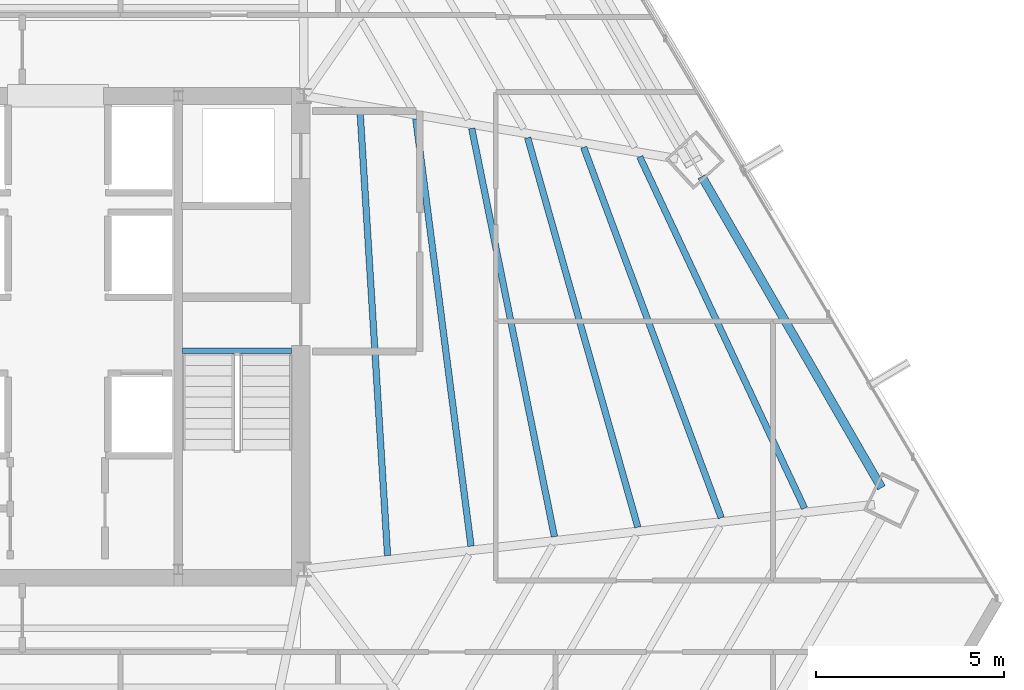
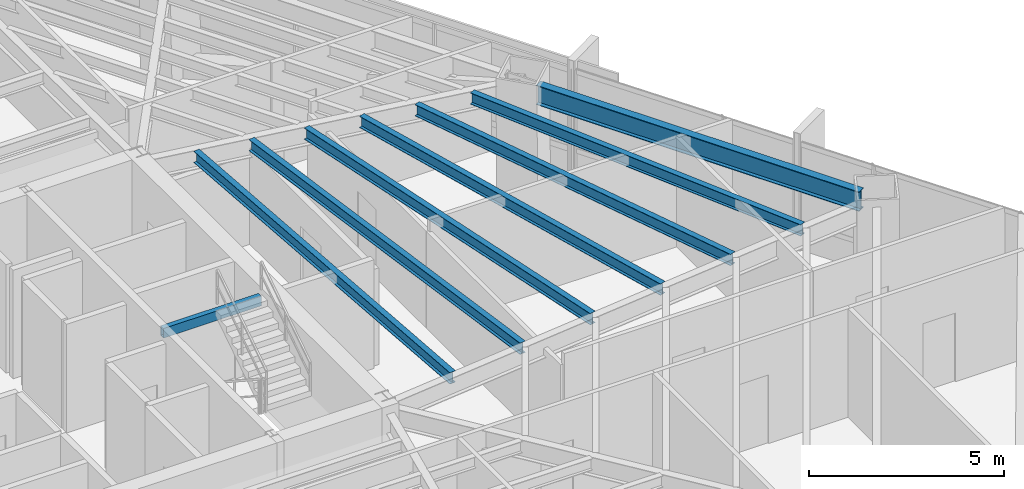
# One storey, part 20 of 37: 8 beams.
"""IFC4 building model written with IfcOpenShell, lengths in metres."""

import ifcopenshell
import ifcopenshell.guid

model = None  # the IFC model being written
_history = None  # IfcOwnerHistory: only IFC2X3 demands one
_inside = {}  # id of a spatial element -> (the spatial element, [elements in it])
_under = {}  # id of a project, library or spatial element -> (it, [spatial elements below it])
_declared = {}  # id of a project -> (the project, [libraries it declares])
_typed = {}  # id of a type object -> (the type object, [elements of that type])
_made_of = {}  # id of a material, layer set ... -> (it, [elements and type objects made of it])


def new_model(schema):
    """Start an empty IFC model of exactly this schema.

    Asked for "IFC4X3", IfcOpenShell would pick the latest addendum, in which some entities
    have other attributes; the version numbers below select the first issue.
    IFC2X3 requires an IfcOwnerHistory on every rooted entity: one is made here for all.
    """
    global model, _history
    if schema == "IFC4X3":
        model = ifcopenshell.file(schema_version=(4, 3, 0, 0))
    else:
        model = ifcopenshell.file(schema=schema)
    _inside.clear()
    _under.clear()
    _declared.clear()
    _typed.clear()
    _made_of.clear()
    _history = None
    if model.schema == "IFC2X3":
        org = make("IfcOrganization", Name="unknown")
        user = make(
            "IfcPersonAndOrganization",
            ThePerson=make("IfcPerson", FamilyName="unknown"),
            TheOrganization=org,
        )
        app = make(
            "IfcApplication",
            ApplicationDeveloper=org,
            Version="unknown",
            ApplicationFullName="unknown",
            ApplicationIdentifier="unknown",
        )
        _history = make(
            "IfcOwnerHistory",
            OwningUser=user,
            OwningApplication=app,
            ChangeAction="ADDED",
            CreationDate=0,
        )
    return model


def make(cls, **values):
    """One entity of the class cls with the attributes given. An attribute that is None is left unset."""
    return model.create_entity(
        cls, **{name: value for name, value in values.items() if value is not None}
    )


def rooted(cls, **values):
    """An entity with a GlobalId (a new one), such as an element, a storey or a relation."""
    return make(cls, GlobalId=ifcopenshell.guid.new(), OwnerHistory=_history, **values)


def si_unit(unit_type, name, prefix=None):
    """IfcSIUnit, for example si_unit("LENGTHUNIT", "METRE", prefix="MILLI")."""
    return make("IfcSIUnit", UnitType=unit_type, Prefix=prefix, Name=name)


def assignment(units):
    """IfcUnitAssignment: the units of a project."""
    return None if units is None else make("IfcUnitAssignment", Units=units)


def point(xyz):
    """IfcCartesianPoint."""
    return None if xyz is None else make("IfcCartesianPoint", Coordinates=xyz)


def direction(xyz):
    """IfcDirection."""
    return None if xyz is None else make("IfcDirection", DirectionRatios=xyz)


def frame(location, z_axis=None, x_axis=None):
    """IfcAxis2Placement3D, a coordinate frame: its origin and axes. An axis left out is left unset."""
    return make(
        "IfcAxis2Placement3D",
        Location=point(location),
        Axis=direction(z_axis),
        RefDirection=direction(x_axis),
    )


def frame_2d(location, x_axis=None):
    """IfcAxis2Placement2D, a coordinate frame in the plane: its origin and x axis."""
    return make(
        "IfcAxis2Placement2D", Location=point(location), RefDirection=direction(x_axis)
    )


def origin():
    """The frame at (0, 0, 0) with its axes left unset."""
    return frame((0.0, 0.0, 0.0))


def origin_2d():
    """The frame at (0, 0) in the plane with its x axis left unset."""
    return frame_2d((0.0, 0.0))


def place(relative_to, where):
    """IfcLocalPlacement: puts the frame where relative to a parent placement (None: the world)."""
    return make(
        "IfcLocalPlacement", PlacementRelTo=relative_to, RelativePlacement=where
    )


def context(
    kind, dimensions, precision=None, world=None, true_north=None, identifier=None
):
    """IfcGeometricRepresentationContext, for example the 3D "Model" context."""
    return make(
        "IfcGeometricRepresentationContext",
        ContextIdentifier=identifier,
        ContextType=kind,
        CoordinateSpaceDimension=dimensions,
        Precision=precision,
        WorldCoordinateSystem=world,
        TrueNorth=true_north,
    )


def subcontext(parent, identifier, kind, view, scale=None):
    """IfcGeometricRepresentationSubContext, for example "Body" below "Model"."""
    return make(
        "IfcGeometricRepresentationSubContext",
        ContextIdentifier=identifier,
        ContextType=kind,
        ParentContext=parent,
        TargetScale=scale,
        TargetView=view,
    )


def project(units=None, contexts=None):
    """IfcProject with its units and contexts."""
    return rooted(
        "IfcProject",
        Name="project",
        RepresentationContexts=contexts,
        UnitsInContext=assignment(units),
    )


def spatial(cls, under=None, at=None, **own):
    """A site, building, storey or space (cls), placed at a placement, below another one or the project."""
    s = rooted(cls, ObjectPlacement=at, **own)
    if under is not None:
        _under.setdefault(under.id(), (under, []))[1].append(s)
    return s


def profile(cls, at=None, kind="AREA", **sizes):
    """A parametric profile (cls). Its sizes go by their IFC names, for example OverallWidth=200.0."""
    return make(cls, ProfileType=kind, Position=at, **sizes)


def hollow_rectangle(**sizes):
    """IfcRectangleHollowProfileDef."""
    return profile("IfcRectangleHollowProfileDef", **sizes)


def i_section(**sizes):
    """IfcIShapeProfileDef."""
    return profile("IfcIShapeProfileDef", **sizes)


def extrude(swept, where, along, depth):
    """IfcExtrudedAreaSolid: the profile swept, set in the frame where, extruded along a direction by depth."""
    return make(
        "IfcExtrudedAreaSolid",
        SweptArea=swept,
        Position=where,
        ExtrudedDirection=direction(along),
        Depth=depth,
    )


def shape(context_of_items, identifier, shape_type, items):
    """IfcShapeRepresentation: the items that make up one representation, for example the "Body"."""
    return make(
        "IfcShapeRepresentation",
        ContextOfItems=context_of_items,
        RepresentationIdentifier=identifier,
        RepresentationType=shape_type,
        Items=items,
    )


def source(mapping_origin, context_of_items, identifier, shape_type, items):
    """IfcRepresentationMap: a shape defined once, which mapped items show again and again."""
    return make(
        "IfcRepresentationMap",
        MappingOrigin=mapping_origin,
        MappedRepresentation=shape(context_of_items, identifier, shape_type, items),
    )


def transform(
    local_origin,
    x_axis=None,
    y_axis=None,
    z_axis=None,
    scale=None,
    scale2=None,
    scale3=None,
    uniform=True,
):
    """IfcCartesianTransformationOperator3D, or its non-uniform kind. x_axis, y_axis, z_axis: its Axis1, 2, 3."""
    if uniform:
        return make(
            "IfcCartesianTransformationOperator3D",
            Axis1=direction(x_axis),
            Axis2=direction(y_axis),
            LocalOrigin=point(local_origin),
            Scale=scale,
            Axis3=direction(z_axis),
        )
    return make(
        "IfcCartesianTransformationOperator3DnonUniform",
        Axis1=direction(x_axis),
        Axis2=direction(y_axis),
        LocalOrigin=point(local_origin),
        Scale=scale,
        Axis3=direction(z_axis),
        Scale2=scale2,
        Scale3=scale3,
    )


def mapped(mapping_source, mapping_target):
    """IfcMappedItem: shows the shape of a source again, moved by a transform."""
    return make(
        "IfcMappedItem", MappingSource=mapping_source, MappingTarget=mapping_target
    )


def material(Name=None, Category=None):
    """IfcMaterial."""
    return make("IfcMaterial", Name=Name, Category=Category)


def material_profile(
    of_material, cross_section, Name=None, Category=None, Priority=None
):
    """IfcMaterialProfile: a cross section and its material."""
    return make(
        "IfcMaterialProfile",
        Name=Name,
        Material=of_material,
        Profile=cross_section,
        Priority=Priority,
        Category=Category,
    )


def profile_set(profiles, Name=None, composite=None):
    """IfcMaterialProfileSet."""
    return make(
        "IfcMaterialProfileSet",
        Name=Name,
        MaterialProfiles=profiles,
        CompositeProfile=composite,
    )


def made_of(thing, what):
    """Note that an element or type object is made of a material, layer set ...; save() writes the relation."""
    if what is not None:
        _made_of.setdefault(what.id(), (what, []))[1].append(thing)
    return thing


def type_object(cls, material=None, **own):
    """A type object (cls), such as IfcWallType, which elements share."""
    return made_of(rooted(cls, **own), material)


def type_shapes(of_type, sources):
    """Give a type object the sources (RepresentationMaps) that its elements show as mapped items."""
    of_type.RepresentationMaps = sources


def element(
    cls,
    number,
    at=None,
    inside=None,
    cuts=None,
    type_object=None,
    material=None,
    context=None,
    identifier="Body",
    shape_type=None,
    held_by="IfcProductDefinitionShape",
    body=None,
    shapes=None,
    **own,
):
    """One element of the class cls, such as IfcWall. Its Tag is "e" and its number.

    at: its placement. inside: the storey or other place that contains it. cuts: it is an
    opening in that element (IfcRelVoidsElement). A single representation is given by context,
    identifier, shape_type and body (its items); several are given by shapes. held_by: the class
    of the entity that holds the representations. save() writes the other relations.
    """
    e = rooted(cls, Tag="e%d" % number, ObjectPlacement=at, **own)
    if body is not None:
        shapes = [shape(context, identifier, shape_type, body)]
    if shapes is not None:
        e.Representation = make(held_by, Representations=shapes)
    if inside is not None:
        _inside.setdefault(inside.id(), (inside, []))[1].append(e)
    if cuts is not None:
        rooted(
            "IfcRelVoidsElement", RelatingBuildingElement=cuts, RelatedOpeningElement=e
        )
    if type_object is not None:
        _typed.setdefault(type_object.id(), (type_object, []))[1].append(e)
    return made_of(e, material)


def aggregate(whole, parts):
    """IfcRelAggregates: a whole, such as a stair, and the parts it consists of."""
    return rooted("IfcRelAggregates", RelatingObject=whole, RelatedObjects=parts)


def save(model, path):
    """Write the relations noted so far, then the file.

    IfcRelAggregates (storeys below a building ...), IfcRelContainedInSpatialStructure (elements
    in a storey), IfcRelDefinesByType, IfcRelAssociatesMaterial and IfcRelDeclares: one each for
    every whole, place, type object, material and project.
    """
    for whole, parts in _under.values():
        aggregate(whole, parts)
    for where, things in _inside.values():
        rooted(
            "IfcRelContainedInSpatialStructure",
            RelatedElements=things,
            RelatingStructure=where,
        )
    for kind, things in _typed.values():
        rooted("IfcRelDefinesByType", RelatedObjects=things, RelatingType=kind)
    for what, things in _made_of.values():
        rooted("IfcRelAssociatesMaterial", RelatedObjects=things, RelatingMaterial=what)
    for by, libraries in _declared.values():
        rooted("IfcRelDeclares", RelatingContext=by, RelatedDefinitions=libraries)
    model.write(path)


model = new_model("IFC4")

# Units and contexts
model_context = context("Model", 3, precision=1e-05, world=origin(), true_north=direction((0.0, 1.0)))
body_context = subcontext(model_context, "Body", "Model", "MODEL_VIEW")
ifc_project = project(units=[si_unit("LENGTHUNIT", "METRE"), si_unit("AREAUNIT", "SQUARE_METRE"), si_unit("VOLUMEUNIT", "CUBIC_METRE"), si_unit("PLANEANGLEUNIT", "RADIAN"), si_unit("MASSUNIT", "GRAM", prefix="KILO")], contexts=[model_context])

# Site, building, storey
site_placement = place(None, origin())
site = spatial("IfcSite", under=ifc_project, at=site_placement, CompositionType="ELEMENT")
building_placement = place(site_placement, origin())
building = spatial("IfcBuilding", under=site, at=building_placement, Name="Caelisora Broadcast Tower", CompositionType="ELEMENT")
storey_placement = place(building_placement, frame((0.0, 0.0, 105.39990234375)))
storey = spatial("IfcBuildingStorey", under=building, at=storey_placement, Name="L27", CompositionType="ELEMENT", Elevation=105.39990234375)

# Beams
ifc_material_1 = material(Name="Steel Grade 350 (AS/NZS 1163 C350L0)", Category="steel")
ifc_material_profile_1 = material_profile(ifc_material_1, hollow_rectangle(XDim=0.14990234375, YDim=0.300048828125, WallThickness=0.010009765625, at=origin_2d()), Name="Steel Grade 350 (AS/NZS 1163 C350L0)")
ifc_profile_set_1 = profile_set([ifc_material_profile_1], Name="Steel Grade 350 (AS/NZS 1163 C350L0)")
beam_type_1 = type_object("IfcBeamType", Name="SB05", PredefinedType="JOIST", material=ifc_profile_set_1)
shared_shape_1 = source(origin(), body_context, "Body", "SweptSolid", [
    extrude(hollow_rectangle(XDim=0.14990234375, YDim=0.300048828125, WallThickness=0.010009765625, at=origin_2d()), origin(), (0.0, 0.0, 1.0), 2.89990234375),
])
type_shapes(beam_type_1, [shared_shape_1])
beam_1_placement = place(storey_placement, frame((42.260009765625, 23.219970703125, 3.25), z_axis=(1.0, 0.0, 0.0), x_axis=(0.0, 1.0, 0.0)))
element("IfcBeam", 1, at=beam_1_placement, inside=storey, type_object=beam_type_1, Name="L27 beam SB05", PredefinedType="JOIST", context=body_context, shape_type="MappedRepresentation", body=[
    mapped(shared_shape_1, transform((0.0, 0.0, 0.0), scale=1.0)),
])
ifc_material_2 = material(Name="Steel Grade 350 (AS/NZS 3679.1)", Category="steel")
ifc_material_profile_2 = material_profile(ifc_material_2, i_section(OverallWidth=0.22900390625, OverallDepth=0.611572265625, WebThickness=0.011962890625, FlangeThickness=0.01953125, at=origin_2d()), Name="Steel Grade 350 (AS/NZS 3679.1)")
ifc_profile_set_2 = profile_set([ifc_material_profile_2], Name="Steel Grade 350 (AS/NZS 3679.1)")
beam_type_2 = type_object("IfcBeamType", Name="PG03", PredefinedType="BEAM", material=ifc_profile_set_2)
shared_shape_2 = source(origin(), body_context, "Body", "SweptSolid", [
    extrude(i_section(OverallWidth=0.22900390625, OverallDepth=0.611572265625, WebThickness=0.011962890625, FlangeThickness=0.01953125, at=origin_2d()), origin(), (0.0, 0.0, 1.0), 9.56640625),
])
type_shapes(beam_type_2, [shared_shape_2])
beam_2_placement = place(storey_placement, frame((60.865234375, 19.569580078125, 3.09423828125), z_axis=(-0.500003750891, 0.866023238196, 0.0), x_axis=(-0.866023238196, -0.500003750891, 0.0)))
element("IfcBeam", 2, at=beam_2_placement, inside=storey, type_object=beam_type_2, Name="L27 beam PG03", PredefinedType="BEAM", context=body_context, shape_type="MappedRepresentation", body=[
    mapped(shared_shape_2, transform((0.0, 0.0, 0.0), scale=1.0)),
])
ifc_material_profile_3 = material_profile(ifc_material_2, i_section(OverallWidth=0.172119140625, OverallDepth=0.358642578125, WebThickness=0.008056640625, FlangeThickness=0.012939453125, at=origin_2d()), Name="Steel Grade 350 (AS/NZS 3679.1)")
ifc_profile_set_3 = profile_set([ifc_material_profile_3], Name="Steel Grade 350 (AS/NZS 3679.1)")
beam_type_3 = type_object("IfcBeamType", Name="SB02", PredefinedType="JOIST", material=ifc_profile_set_3)
shared_shape_3 = source(origin(), body_context, "Body", "SweptSolid", [
    extrude(i_section(OverallWidth=0.172119140625, OverallDepth=0.358642578125, WebThickness=0.008056640625, FlangeThickness=0.012939453125, at=origin_2d()), origin(), (0.0, 0.0, 1.0), 11.895263671875),
])
beam_3_placement = place(storey_placement, frame((47.720947265625, 17.763916015625, 3.220703125), z_axis=(-0.061798169339, 0.998088666535, 0.0), x_axis=(-0.998088666535, -0.061798169339, 0.0)))
element("IfcBeam", 3, at=beam_3_placement, inside=storey, type_object=beam_type_3, Name="L27 beam SB02", PredefinedType="JOIST", context=body_context, shape_type="MappedRepresentation", body=[
    mapped(shared_shape_3, transform((0.0, 0.0, 0.0), scale=1.0)),
])
shared_shape_4 = source(origin(), body_context, "Body", "SweptSolid", [
    extrude(i_section(OverallWidth=0.172119140625, OverallDepth=0.358642578125, WebThickness=0.008056640625, FlangeThickness=0.012939453125, at=origin_2d()), origin(), (0.0, 0.0, 1.0), 11.4638671875),
])
beam_4_placement = place(storey_placement, frame((49.94140625, 18.01611328125, 3.220703125), z_axis=(-0.128119997828, 0.991758673346, 0.0), x_axis=(-0.991758673346, -0.128119997828, 0.0)))
element("IfcBeam", 4, at=beam_4_placement, inside=storey, type_object=beam_type_3, Name="L27 beam SB02", PredefinedType="JOIST", context=body_context, shape_type="MappedRepresentation", body=[
    mapped(shared_shape_4, transform((0.0, 0.0, 0.0), scale=1.0)),
])
shared_shape_5 = source(origin(), body_context, "Body", "SweptSolid", [
    extrude(i_section(OverallWidth=0.172119140625, OverallDepth=0.358642578125, WebThickness=0.008056640625, FlangeThickness=0.012939453125, at=origin_2d()), origin(), (0.0, 0.0, 1.0), 11.0869140625),
])
beam_5_placement = place(storey_placement, frame((52.16162109375, 18.268310546875, 3.220703125), z_axis=(-0.198558956161, 0.980088945417, 0.0), x_axis=(-0.980088945417, -0.198558956161, 0.0)))
element("IfcBeam", 5, at=beam_5_placement, inside=storey, type_object=beam_type_3, Name="L27 beam SB02", PredefinedType="JOIST", context=body_context, shape_type="MappedRepresentation", body=[
    mapped(shared_shape_5, transform((0.0, 0.0, 0.0), scale=1.0)),
])
shared_shape_6 = source(origin(), body_context, "Body", "SweptSolid", [
    extrude(i_section(OverallWidth=0.172119140625, OverallDepth=0.358642578125, WebThickness=0.008056640625, FlangeThickness=0.012939453125, at=origin_2d()), origin(), (0.0, 0.0, 1.0), 10.769287109375),
])
beam_6_placement = place(storey_placement, frame((54.380859375, 18.5205078125, 3.220703125), z_axis=(-0.272244053886, 0.962228234424, 0.0), x_axis=(-0.962228234424, -0.272244053886, 0.0)))
element("IfcBeam", 6, at=beam_6_placement, inside=storey, type_object=beam_type_3, Name="L27 beam SB02", PredefinedType="JOIST", context=body_context, shape_type="MappedRepresentation", body=[
    mapped(shared_shape_6, transform((0.0, 0.0, 0.0), scale=1.0)),
])
shared_shape_7 = source(origin(), body_context, "Body", "SweptSolid", [
    extrude(i_section(OverallWidth=0.172119140625, OverallDepth=0.358642578125, WebThickness=0.008056640625, FlangeThickness=0.012939453125, at=origin_2d()), origin(), (0.0, 0.0, 1.0), 10.516357421875),
])
beam_7_placement = place(storey_placement, frame((56.599609375, 18.7724609375, 3.220703125), z_axis=(-0.348063540029, 0.937470944671, 0.0), x_axis=(-0.937470944671, -0.348063540029, 0.0)))
element("IfcBeam", 7, at=beam_7_placement, inside=storey, type_object=beam_type_3, Name="L27 beam SB02", PredefinedType="JOIST", context=body_context, shape_type="MappedRepresentation", body=[
    mapped(shared_shape_7, transform((0.0, 0.0, 0.0), scale=1.0)),
])
shared_shape_8 = source(origin(), body_context, "Body", "SweptSolid", [
    extrude(i_section(OverallWidth=0.172119140625, OverallDepth=0.358642578125, WebThickness=0.008056640625, FlangeThickness=0.012939453125, at=origin_2d()), origin(), (0.0, 0.0, 1.0), 10.332275390625),
])
type_shapes(beam_type_3, [shared_shape_3, shared_shape_4, shared_shape_5, shared_shape_6, shared_shape_7, shared_shape_8])
beam_8_placement = place(storey_placement, frame((58.8173828125, 19.0244140625, 3.220703125), z_axis=(-0.424539209893, 0.905409553331, 0.0), x_axis=(-0.905409553331, -0.424539209893, 0.0)))
element("IfcBeam", 8, at=beam_8_placement, inside=storey, type_object=beam_type_3, Name="L27 beam SB02", PredefinedType="JOIST", context=body_context, shape_type="MappedRepresentation", body=[
    mapped(shared_shape_8, transform((0.0, 0.0, 0.0), scale=1.0)),
])

save(model, "model.ifc")
